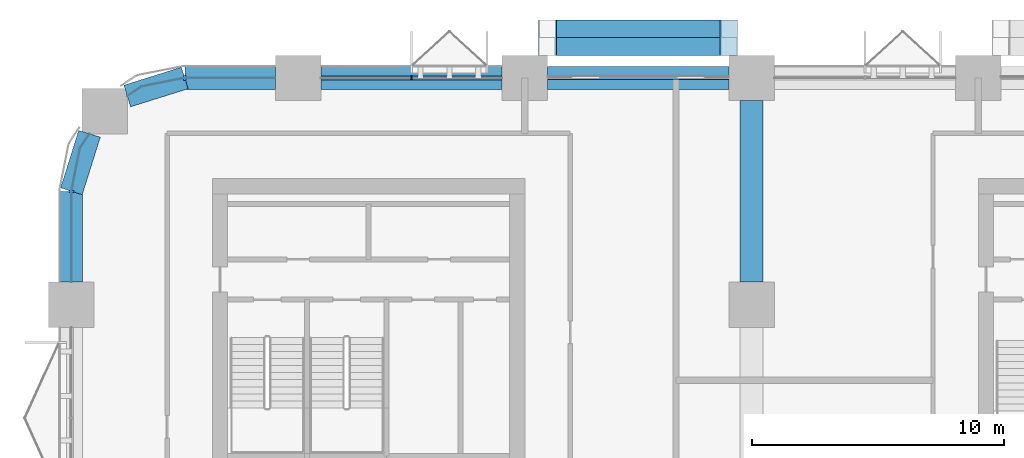
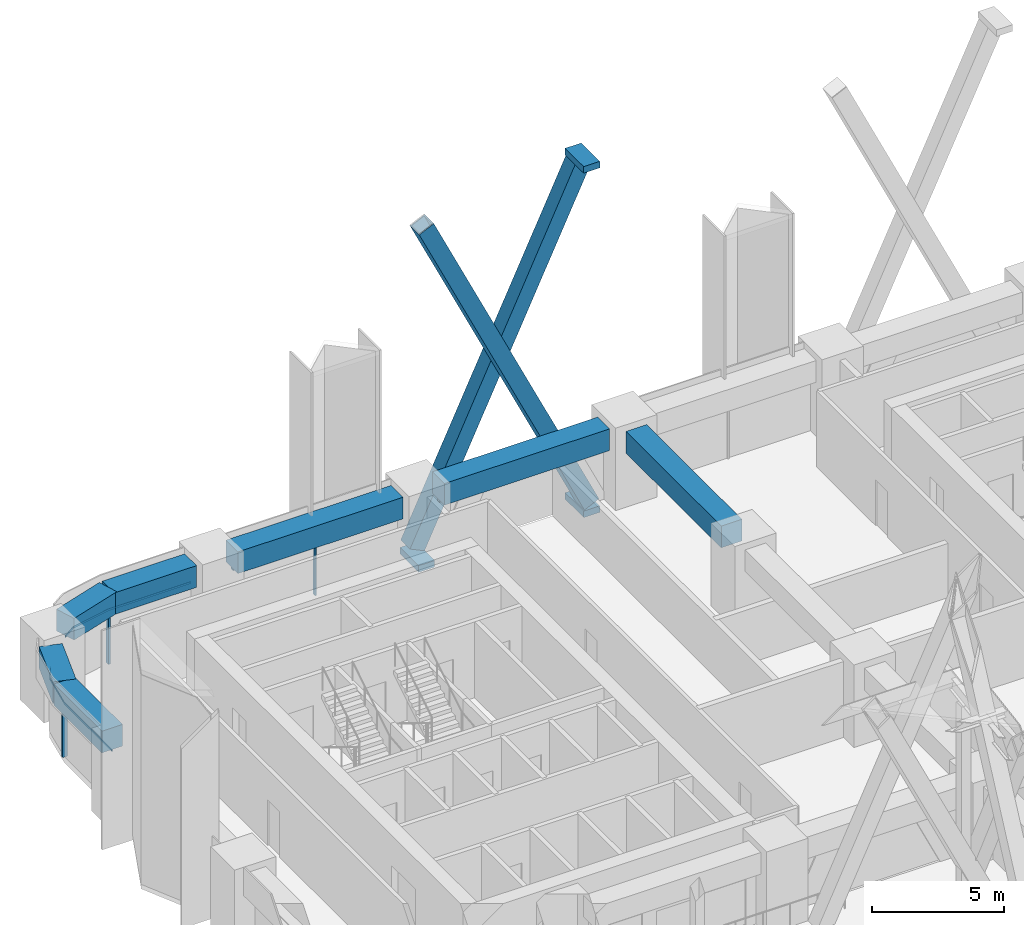
# One storey, part 7 of 22: 12 members, 7 beams, 4 elements without a shape of their own.
"""IFC4 building model written with IfcOpenShell, lengths in metres."""

from ifc_helpers import new_model, si_unit, direction, frame, origin, origin_2d, place, context, subcontext, project, spatial, polyline, rectangle, hollow_rectangle, outline, extrude, material, layer, layer_set, material_profile, profile_set, type_object, element, aggregate, save


model = new_model("IFC4")

# Units and contexts
model_context = context("Model", 3, precision=1e-05, world=origin(), true_north=direction((0.0, 1.0)))
body_context = subcontext(model_context, "Body", "Model", "MODEL_VIEW")
ifc_project = project(units=[si_unit("LENGTHUNIT", "METRE"), si_unit("AREAUNIT", "SQUARE_METRE"), si_unit("VOLUMEUNIT", "CUBIC_METRE"), si_unit("PLANEANGLEUNIT", "RADIAN"), si_unit("MASSUNIT", "GRAM", prefix="KILO")], contexts=[model_context])

# Site, building, storey
site_placement = place(None, origin())
site = spatial("IfcSite", under=ifc_project, at=site_placement, CompositionType="ELEMENT")
building_placement = place(site_placement, origin())
building = spatial("IfcBuilding", under=site, at=building_placement, Name="Tessera Arch", CompositionType="ELEMENT")
storey_placement = place(building_placement, frame((0.0, 0.0, 77.800048828125)))
storey = spatial("IfcBuildingStorey", under=building, at=storey_placement, Name="L17", CompositionType="ELEMENT", Elevation=77.800048828125)

# Members
ifc_material_1 = material(Name="Steel A572 Gr50", Category="steel")
ifc_material_profile_1 = material_profile(ifc_material_1, hollow_rectangle(XDim=0.699951171875, YDim=0.699951171875, WallThickness=0.050048828125, at=origin_2d()), Name="BOX 700x700x50")
ifc_profile_set_1 = profile_set([ifc_material_profile_1], Name="Steel A572 Gr50")
member_type_1 = type_object("IfcMemberType", Name="Brace BOX 700x700x50 Steel A572 Gr50", PredefinedType="BRACE", material=ifc_profile_set_1)
for number, where, z_axis, x_axis, name in (
    (1, (26.10009765625, 55.25, -0.800048828125), (-0.428096952335, 0.0, 0.903732814167), (0.0, -1.0, 0.0), "Brace N54.0-2 A L17-L20"),
    (2, (18.89990234375, 55.949951171875, -0.800048828125), (0.428096952335, 0.0, 0.903732814167), (0.0, 1.0, 0.0), "Brace N54.0-2 B L17-L20"),
):
    element("IfcMember", number, at=place(storey_placement, frame(where, z_axis=z_axis, x_axis=x_axis)), inside=storey, type_object=member_type_1, Name=name, PredefinedType="BRACE", context=body_context, shape_type="SweptSolid", body=[
        extrude(hollow_rectangle(XDim=0.699951171875, YDim=0.699951171875, WallThickness=0.050048828125, at=origin_2d()), origin(), (0.0, 0.0, 1.0), 16.819091796875),
    ])

# Curtain wall, members
ifc_material_2 = material(Name="CW1 curtain wall")
curtain_wall_type_1 = type_object("IfcCurtainWallType", Name="CW1 curtain wall", PredefinedType="NOTDEFINED", material=ifc_material_2)
curtain_wall_1_placement = place(storey_placement, origin())
curtain_wall_1 = element("IfcCurtainWall", 3, at=curtain_wall_1_placement, inside=storey, type_object=curtain_wall_type_1, Name="CW1 curtain wall N54.0/3 L17", PredefinedType="NOTDEFINED")
ifc_material_3 = material(Name="Anodised aluminium pale metal", Category="aluminium")
ifc_material_profile_2 = material_profile(ifc_material_3, rectangle(XDim=0.159912109375, YDim=0.06005859375, at=origin_2d()), Name="AL 60x160")
ifc_profile_set_2 = profile_set([ifc_material_profile_2], Name="Anodised aluminium pale metal")
member_type_2 = type_object("IfcMemberType", Name="CW1 mullion", PredefinedType="MULLION", material=ifc_profile_set_2)
member_1_placement = place(storey_placement, frame((13.5, 54.0, 0.0), z_axis=(0.0, 0.0, 1.0), x_axis=(0.0, -1.0, 0.0)))
member_1 = element("IfcMember", 4, at=member_1_placement, type_object=member_type_2, Name="CW1 mullion N54.0/3 1", PredefinedType="MULLION", context=body_context, shape_type="SweptSolid", body=[
    extrude(rectangle(XDim=0.159912109375, YDim=0.06005859375, at=origin_2d()), origin(), (0.0, 0.0, 1.0), 2.39990234375),
])
ifc_material_4 = material(Name="Anodised aluminium pale metal", Category="aluminium")
ifc_material_profile_3 = material_profile(ifc_material_4, rectangle(XDim=0.159912109375, YDim=0.10009765625, at=origin_2d()), Name="AL 160x100")
ifc_profile_set_3 = profile_set([ifc_material_profile_3], Name="Anodised aluminium pale metal")
member_type_3 = type_object("IfcMemberType", Name="CW1 transom", PredefinedType="USERDEFINED", material=ifc_profile_set_3)
member_2_placement = place(storey_placement, frame((17.10009765625, 54.0, 2.449951171875), z_axis=(-1.0, 0.0, 0.0), x_axis=(0.0, -1.0, 0.0)))
member_2 = element("IfcMember", 5, at=member_2_placement, type_object=member_type_3, Name="CW1 transom N54.0/3 1.1", ObjectType="TRANSOM", PredefinedType="USERDEFINED", context=body_context, shape_type="SweptSolid", body=[
    extrude(rectangle(XDim=0.159912109375, YDim=0.10009765625, at=origin_2d()), origin(), (0.0, 0.0, 1.0), 7.2001953125),
])
aggregate(curtain_wall_1, [member_1, member_2])

# Curtain wall, member
ifc_material_5 = material(Name="CW2 curtain wall")
curtain_wall_type_2 = type_object("IfcCurtainWallType", Name="CW2 curtain wall", PredefinedType="NOTDEFINED", material=ifc_material_5)
curtain_wall_2_placement = place(storey_placement, origin())
curtain_wall_2 = element("IfcCurtainWall", 6, at=curtain_wall_2_placement, inside=storey, type_object=curtain_wall_type_2, Name="CW2 curtain wall N54.0/4 L17", PredefinedType="NOTDEFINED")
ifc_material_6 = material(Name="Anodised aluminium pale metal", Category="aluminium")
ifc_material_profile_4 = material_profile(ifc_material_6, rectangle(XDim=0.199951171875, YDim=0.080078125, at=origin_2d()), Name="AL 80x200")
ifc_profile_set_4 = profile_set([ifc_material_profile_4], Name="Anodised aluminium pale metal")
member_type_4 = type_object("IfcMemberType", Name="CW2 mullion", PredefinedType="MULLION", material=ifc_profile_set_4)
member_3_placement = place(storey_placement, frame((4.5, 54.0, 0.0), z_axis=(0.0, 0.0, 1.0), x_axis=(0.0, -1.0, 0.0)))
member_3 = element("IfcMember", 7, at=member_3_placement, type_object=member_type_4, Name="CW2 mullion N54.0/4 1", PredefinedType="MULLION", context=body_context, shape_type="SweptSolid", body=[
    extrude(rectangle(XDim=0.199951171875, YDim=0.080078125, at=origin_2d()), origin(), (0.0, 0.0, 1.0), 2.39990234375),
])

curtain_wall_3_placement = place(storey_placement, origin())
curtain_wall_3 = element("IfcCurtainWall", 8, at=curtain_wall_3_placement, inside=storey, type_object=curtain_wall_type_2, Name="CW2 curtain wall W0.27/0 L17", PredefinedType="NOTDEFINED")
member_4_placement = place(storey_placement, frame((0.0, 49.5, 0.0), z_axis=(0.0, 0.0, 1.0), x_axis=(1.0, 0.0, 0.0)))
member_4 = element("IfcMember", 9, at=member_4_placement, type_object=member_type_4, Name="CW2 mullion W0.27/0 1", PredefinedType="MULLION", context=body_context, shape_type="SweptSolid", body=[
    extrude(rectangle(XDim=0.199951171875, YDim=0.080078125, at=origin_2d()), origin(), (0.0, 0.0, 1.0), 2.39990234375),
])

# Member
ifc_material_7 = material(Name="Anodised aluminium pale metal", Category="aluminium")
ifc_material_profile_5 = material_profile(ifc_material_7, rectangle(XDim=0.199951171875, YDim=0.10009765625, at=origin_2d()), Name="AL 200x100")
ifc_profile_set_5 = profile_set([ifc_material_profile_5], Name="Anodised aluminium pale metal")
member_type_5 = type_object("IfcMemberType", Name="CW2 transom", PredefinedType="USERDEFINED", material=ifc_profile_set_5)
member_5_placement = place(storey_placement, frame((0.0, 0.0, 2.39990234375)))
member_5 = element("IfcMember", 10, at=member_5_placement, type_object=member_type_5, Name="CW2 transom N54.0/4 1", ObjectType="TRANSOM", PredefinedType="USERDEFINED", context=body_context, shape_type="SweptSolid", body=[
    extrude(outline(polyline([(4.5009765625, 53.989990234375), (8.10009765625, 53.989990234375), (8.10009765625, 54.010009765625), (4.4990234375, 54.010009765625), (2.77392578125, 53.6669921875), (2.21240234375, 53.29150390625), (2.2236328125, 53.27490234375), (2.78173828125, 53.648193359375), (4.5009765625, 53.989990234375)])), origin(), (0.0, 0.0, 1.0), 0.10009765625),
])

aggregate(curtain_wall_2, [member_3, member_5])

member_6_placement = place(storey_placement, frame((0.0, 0.0, 2.39990234375)))
member_6 = element("IfcMember", 11, at=member_6_placement, type_object=member_type_5, Name="CW2 transom W0.27/0 1", ObjectType="TRANSOM", PredefinedType="USERDEFINED", context=body_context, shape_type="SweptSolid", body=[
    extrude(outline(polyline([(0.351806640625, 51.21826171875), (0.72509765625, 51.7763671875), (0.70849609375, 51.78759765625), (0.3330078125, 51.22607421875), (-0.010009765625, 49.5009765625), (-0.010009765625, 45.89990234375), (0.010009765625, 45.89990234375), (0.010009765625, 49.4990234375), (0.351806640625, 51.21826171875)])), origin(), (0.0, 0.0, 1.0), 0.10009765625),
])

aggregate(curtain_wall_3, [member_4, member_6])

# Curtain wall, member
ifc_material_8 = material(Name="CW3 curtain wall")
curtain_wall_type_3 = type_object("IfcCurtainWallType", Name="CW3 curtain wall", PredefinedType="NOTDEFINED", material=ifc_material_8)
curtain_wall_4_placement = place(storey_placement, origin())
curtain_wall_4 = element("IfcCurtainWall", 12, at=curtain_wall_4_placement, inside=storey, type_object=curtain_wall_type_3, Name="CW3 curtain wall N54.0/2 L17", PredefinedType="NOTDEFINED")
ifc_material_9 = material(Name="Anodised aluminium pale metal", Category="aluminium")
ifc_material_profile_6 = material_profile(ifc_material_9, rectangle(XDim=0.139892578125, YDim=0.10009765625, at=origin_2d()), Name="AL 140x100")
ifc_profile_set_6 = profile_set([ifc_material_profile_6], Name="Anodised aluminium pale metal")
member_type_6 = type_object("IfcMemberType", Name="CW3 transom", PredefinedType="USERDEFINED", material=ifc_profile_set_6)
member_7_placement = place(storey_placement, frame((26.10009765625, 54.0, 2.449951171875), z_axis=(-1.0, 0.0, 0.0), x_axis=(0.0, -1.0, 0.0)))
member_7 = element("IfcMember", 13, at=member_7_placement, type_object=member_type_6, Name="CW3 transom N54.0/2 1.1", ObjectType="TRANSOM", PredefinedType="USERDEFINED", context=body_context, shape_type="SweptSolid", body=[
    extrude(rectangle(XDim=0.139892578125, YDim=0.10009765625, at=origin_2d()), origin(), (0.0, 0.0, 1.0), 7.2001953125),
])
aggregate(curtain_wall_4, [member_7])

# Members
ifc_material_10 = material(Name="Steel A572 Gr50", Category="steel")
ifc_layer = layer(ifc_material_10, 0.050048828125)
ifc_layer_set = layer_set([ifc_layer], Name="Node block Steel A572 Gr50")
member_type_7 = type_object("IfcMemberType", Name="Node block Steel A572 Gr50", PredefinedType="PLATE", material=ifc_layer_set)
for number, where, z_axis, x_axis, name in (
    (14, (18.89990234375, 55.60009765625, -1.2861328125), (0.0, 0.0, 1.0), (-1.0, 0.0, 0.0), "Node block seat N54.0-2 1 L17"),
    (15, (26.10009765625, 55.60009765625, -1.2861328125), (0.0, 0.0, 1.0), (-1.0, 0.0, 0.0), "Node block seat N54.0-2 2 L17"),
    (16, (26.10009765625, 55.60009765625, 14.5859375), (0.0, 0.0, 1.0), (-1.0, 0.0, 0.0), "Node block head N54.0-2 B L17"),
):
    element("IfcMember", number, at=place(storey_placement, frame(where, z_axis=z_axis, x_axis=x_axis)), inside=storey, type_object=member_type_7, Name=name, PredefinedType="PLATE", context=body_context, shape_type="SweptSolid", body=[
        extrude(rectangle(XDim=0.699951171875, YDim=1.39990234375, at=origin_2d()), origin(), (0.0, 0.0, 1.0), 0.300048828125),
    ])

# Beams
ifc_material_11 = material(Name="Concrete C80/95", Category="concrete")
ifc_material_profile_7 = material_profile(ifc_material_11, rectangle(XDim=0.89990234375, YDim=1.0, at=origin_2d()), Name="RC spandrel beam 900 x 1000 Concrete C80/95")
ifc_profile_set_7 = profile_set([ifc_material_profile_7], Name="Concrete C80/95")
beam_type = type_object("IfcBeamType", Name="RC spandrel beam 900 x 1000 Concrete C80/95", PredefinedType="BEAM", material=ifc_profile_set_7)
for number, where, z_axis, x_axis, name in (
    (17, (26.10009765625, 54.0, 3.0), (-1.0, 0.0, 0.0), (0.0, -1.0, 0.0), "Spandrel beam L17 N54.0/2"),
    (18, (17.10009765625, 54.0, 3.0), (-1.0, 0.0, 0.0), (0.0, -1.0, 0.0), "Spandrel beam L17 N54.0/3"),
):
    element("IfcBeam", number, at=place(storey_placement, frame(where, z_axis=z_axis, x_axis=x_axis)), inside=storey, type_object=beam_type, Name=name, PredefinedType="BEAM", context=body_context, shape_type="SweptSolid", body=[
        extrude(rectangle(XDim=0.89990234375, YDim=1.0, at=origin_2d()), origin(), (0.0, 0.0, 1.0), 7.2001953125),
    ])
beam_1_placement = place(storey_placement, frame((8.10009765625, 54.0, 3.0), z_axis=(-1.0, 0.0, 0.0), x_axis=(0.0, -1.0, 0.0)))
element("IfcBeam", 19, at=beam_1_placement, inside=storey, type_object=beam_type, Name="Spandrel beam L17 N54.0/4.1", PredefinedType="BEAM", context=body_context, shape_type="SweptSolid", body=[
    extrude(rectangle(XDim=0.89990234375, YDim=1.0, at=origin_2d()), origin(), (0.0, 0.0, 1.0), 3.60009765625),
])
for number, where, z_axis, x_axis, name in (
    (20, (4.5, 54.0, 3.0), (-0.954041251279, -0.299675309057, 0.0), (0.299675309057, -0.954041251279, 0.0), "Spandrel beam L17 N54.0/4.2"),
    (21, (0.716796875, 51.781982421875, 3.0), (-0.299675309057, -0.954041251279, 0.0), (0.954041251279, -0.299675309057, 0.0), "Spandrel beam L17 W0.27/0.1"),
):
    element("IfcBeam", number, at=place(storey_placement, frame(where, z_axis=z_axis, x_axis=x_axis)), inside=storey, type_object=beam_type, Name=name, PredefinedType="BEAM", context=body_context, shape_type="SweptSolid", body=[
        extrude(rectangle(XDim=0.89990234375, YDim=1.0, at=origin_2d()), origin(), (0.0, 0.0, 1.0), 2.391845703125),
    ])
beam_2_placement = place(storey_placement, frame((0.0, 49.5, 3.0), z_axis=(0.0, -1.0, 0.0), x_axis=(1.0, 0.0, 0.0)))
element("IfcBeam", 22, at=beam_2_placement, inside=storey, type_object=beam_type, Name="Spandrel beam L17 W0.27/0.2", PredefinedType="BEAM", context=body_context, shape_type="SweptSolid", body=[
    extrude(rectangle(XDim=0.89990234375, YDim=1.0, at=origin_2d()), origin(), (0.0, 0.0, 1.0), 3.60009765625),
])
beam_3_placement = place(storey_placement, frame((27.0, 45.89990234375, 3.0), z_axis=(0.0, 1.0, 0.0), x_axis=(-1.0, 0.0, 0.0)))
element("IfcBeam", 23, at=beam_3_placement, inside=storey, type_object=beam_type, Name="Interface beam L17 I0C4F-C4G", PredefinedType="BEAM", context=body_context, shape_type="SweptSolid", body=[
    extrude(rectangle(XDim=0.89990234375, YDim=1.0, at=origin_2d()), origin(), (0.0, 0.0, 1.0), 7.2001953125),
])

save(model, "model.ifc")
